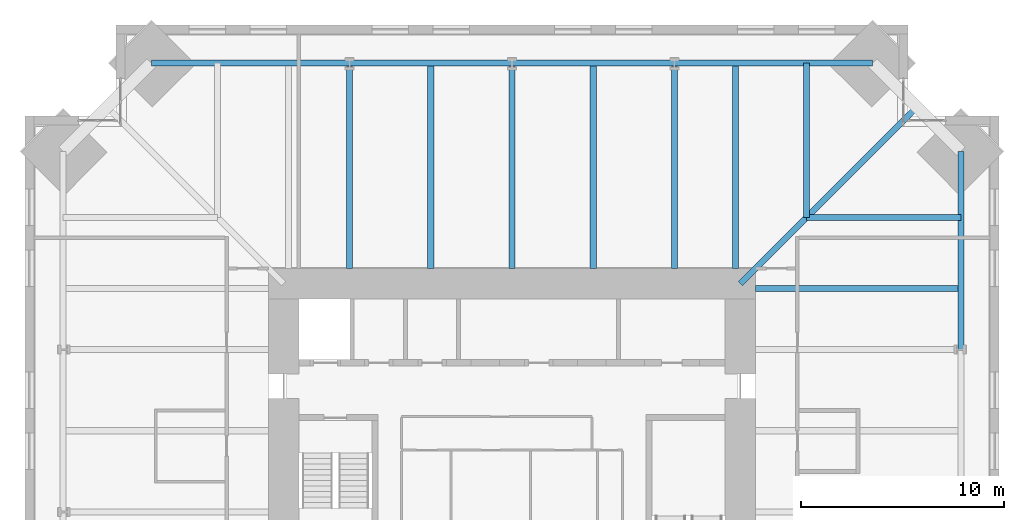
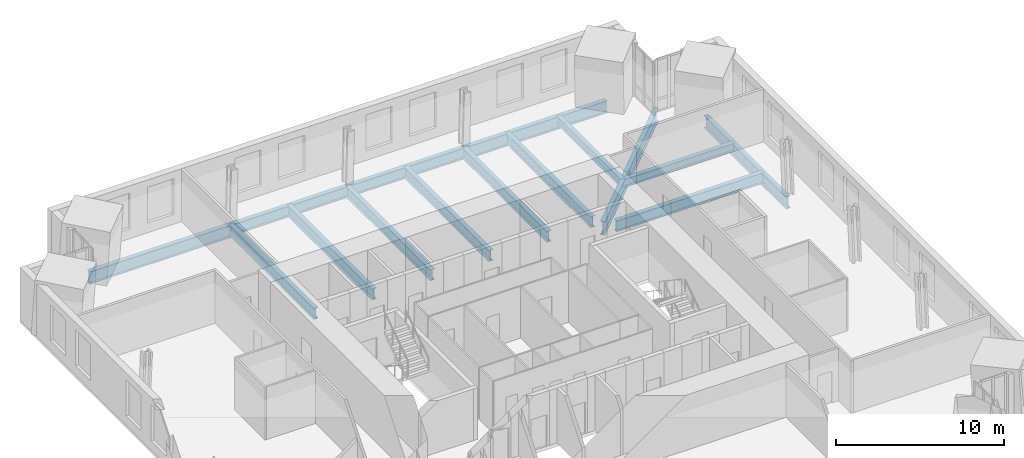
# One storey, part 7 of 15: 15 beams.
"""IFC4 building model written with IfcOpenShell, lengths in metres."""

from ifc_helpers import new_model, si_unit, direction, frame, origin, origin_2d, place, context, subcontext, project, spatial, i_section, extrude, material, material_profile, profile_set, type_object, element, save


model = new_model("IFC4")

# Units and contexts
model_context = context("Model", 3, precision=1e-05, world=origin(), true_north=direction((0.0, 1.0)))
body_context = subcontext(model_context, "Body", "Model", "MODEL_VIEW")
ifc_project = project(units=[si_unit("LENGTHUNIT", "METRE"), si_unit("AREAUNIT", "SQUARE_METRE"), si_unit("VOLUMEUNIT", "CUBIC_METRE"), si_unit("PLANEANGLEUNIT", "RADIAN"), si_unit("MASSUNIT", "GRAM", prefix="KILO")], contexts=[model_context])

# Site, building, storey
site_placement = place(None, origin())
site = spatial("IfcSite", under=ifc_project, at=site_placement, CompositionType="ELEMENT")
building_placement = place(site_placement, origin())
building = spatial("IfcBuilding", under=site, at=building_placement, Name="Peilmerk Tower", CompositionType="ELEMENT")
storey_placement = place(building_placement, frame((0.0, 0.0, 217.800048828125)))
storey = spatial("IfcBuildingStorey", under=building, at=storey_placement, Name="L47", CompositionType="ELEMENT", Elevation=217.800048828125)

# Beams
ifc_material = material(Name="Steel S355", Category="steel")
ifc_material_profile_1 = material_profile(ifc_material, i_section(OverallWidth=0.302978515625, OverallDepth=0.81396484375, WebThickness=0.02099609375, FlangeThickness=0.0400390625, at=origin_2d()), Name="HEM 800")
ifc_profile_set_1 = profile_set([ifc_material_profile_1], Name="Steel S355")
beam_type_1 = type_object("IfcBeamType", Name="B15 HEM 800 edge beam", PredefinedType="SPANDREL", material=ifc_profile_set_1)
for number, where, z_axis, x_axis, name in (
    (1, (8.0, 22.114501953125, -0.5771484375), (-1.0, 0.0, 0.0), (0.0, -1.0, 0.0), "Edge beam L47"),
    (2, (0.0, 22.114501953125, -0.5771484375), (-1.0, 0.0, 0.0), (0.0, -1.0, 0.0), "Edge beam L47"),
):
    element("IfcBeam", number, at=place(storey_placement, frame(where, z_axis=z_axis, x_axis=x_axis)), inside=storey, type_object=beam_type_1, Name=name, PredefinedType="SPANDREL", context=body_context, shape_type="SweptSolid", body=[
        extrude(i_section(OverallWidth=0.302978515625, OverallDepth=0.81396484375, WebThickness=0.02099609375, FlangeThickness=0.0400390625, at=origin_2d()), origin(), (0.0, 0.0, 1.0), 8.0),
    ])
ifc_material_profile_2 = material_profile(ifc_material, i_section(OverallWidth=0.302001953125, OverallDepth=0.909912109375, WebThickness=0.02099609375, FlangeThickness=0.0400390625, at=origin_2d()), Name="HEM 900")
ifc_profile_set_2 = profile_set([ifc_material_profile_2], Name="Steel S355")
beam_type_2 = type_object("IfcBeamType", Name="B2 HEM 900 edge beam", PredefinedType="SPANDREL", material=ifc_profile_set_2)
for number, where, z_axis, x_axis, name in (
    (3, (17.764404296875, 22.114501953125, -0.625), (-1.0, 0.0, 0.0), (0.0, -1.0, 0.0), "Edge beam L47"),
    (4, (-8.0, 22.114501953125, -0.625), (-1.0, 0.0, 0.0), (0.0, -1.0, 0.0), "Edge beam L47"),
    (5, (22.114501953125, 8.0, -0.625), (0.0, 1.0, 0.0), (-1.0, 0.0, 0.0), "Edge beam L47"),
):
    element("IfcBeam", number, at=place(storey_placement, frame(where, z_axis=z_axis, x_axis=x_axis)), inside=storey, type_object=beam_type_2, Name=name, PredefinedType="SPANDREL", context=body_context, shape_type="SweptSolid", body=[
        extrude(i_section(OverallWidth=0.302001953125, OverallDepth=0.909912109375, WebThickness=0.02099609375, FlangeThickness=0.0400390625, at=origin_2d()), origin(), (0.0, 0.0, 1.0), 9.764404296875),
    ])
ifc_material_profile_3 = material_profile(ifc_material, i_section(OverallWidth=0.300048828125, OverallDepth=0.590087890625, WebThickness=0.012939453125, FlangeThickness=0.02490234375, at=origin_2d()), Name="HEA 600")
ifc_profile_set_3 = profile_set([ifc_material_profile_3], Name="Steel S355")
beam_type_3 = type_object("IfcBeamType", Name="B27 HEA 600 floor beam", PredefinedType="BEAM", material=ifc_profile_set_3)
for number, where, z_axis, x_axis, name in (
    (6, (14.5, 14.5, -0.465087890625), (0.0, 1.0, 0.0), (-1.0, 0.0, 0.0), "Floor beam L47"),
    (7, (14.5, 14.5, -0.465087890625), (1.0, 0.0, 0.0), (0.0, 1.0, 0.0), "Floor beam L47"),
):
    element("IfcBeam", number, at=place(storey_placement, frame(where, z_axis=z_axis, x_axis=x_axis)), inside=storey, type_object=beam_type_3, Name=name, PredefinedType="BEAM", context=body_context, shape_type="SweptSolid", body=[
        extrude(i_section(OverallWidth=0.300048828125, OverallDepth=0.590087890625, WebThickness=0.012939453125, FlangeThickness=0.02490234375, at=origin_2d()), origin(), (0.0, 0.0, 1.0), 7.614501953125),
    ])
ifc_material_profile_4 = material_profile(ifc_material, i_section(OverallWidth=0.300048828125, OverallDepth=0.7900390625, WebThickness=0.014892578125, FlangeThickness=0.028076171875, at=origin_2d()), Name="HEA 800")
ifc_profile_set_4 = profile_set([ifc_material_profile_4], Name="Steel S355")
beam_type_4 = type_object("IfcBeamType", Name="B3 HEA 800 floor beam", PredefinedType="BEAM", material=ifc_profile_set_4)
for number, where, z_axis, x_axis, name in (
    (8, (11.0, 12.0, -0.56494140625), (0.0, 1.0, 0.0), (-1.0, 0.0, 0.0), "Floor beam L47"),
    (9, (8.0, 12.0, -0.56494140625), (0.0, 1.0, 0.0), (-1.0, 0.0, 0.0), "Floor beam L47"),
    (10, (4.0, 12.0, -0.56494140625), (0.0, 1.0, 0.0), (-1.0, 0.0, 0.0), "Floor beam L47"),
    (11, (0.0, 12.0, -0.56494140625), (0.0, 1.0, 0.0), (-1.0, 0.0, 0.0), "Floor beam L47"),
    (12, (-4.0, 12.0, -0.56494140625), (0.0, 1.0, 0.0), (-1.0, 0.0, 0.0), "Floor beam L47"),
    (13, (-8.0, 12.0, -0.56494140625), (0.0, 1.0, 0.0), (-1.0, 0.0, 0.0), "Floor beam L47"),
    (14, (12.0, 11.0, -0.56494140625), (1.0, 0.0, 0.0), (0.0, 1.0, 0.0), "Floor beam L47"),
):
    element("IfcBeam", number, at=place(storey_placement, frame(where, z_axis=z_axis, x_axis=x_axis)), inside=storey, type_object=beam_type_4, Name=name, PredefinedType="BEAM", context=body_context, shape_type="SweptSolid", body=[
        extrude(i_section(OverallWidth=0.300048828125, OverallDepth=0.7900390625, WebThickness=0.014892578125, FlangeThickness=0.028076171875, at=origin_2d()), origin(), (0.0, 0.0, 1.0), 10.114501953125),
    ])
ifc_material_profile_5 = material_profile(ifc_material, i_section(OverallWidth=0.300048828125, OverallDepth=1.0, WebThickness=0.01904296875, FlangeThickness=0.035888671875, at=origin_2d()), Name="HEB 1000")
ifc_profile_set_5 = profile_set([ifc_material_profile_5], Name="Steel S355")
beam_type_5 = type_object("IfcBeamType", Name="B5 HEB 1000 floor girder", PredefinedType="BEAM", material=ifc_profile_set_5)
beam_placement = place(storey_placement, frame((11.25, 11.25, -0.670166015625), z_axis=(0.707106781187, 0.707106781187, 0.0), x_axis=(-0.707106781187, 0.707106781187, 0.0)))
element("IfcBeam", 15, at=beam_placement, inside=storey, type_object=beam_type_5, Name="Corner girder L47", PredefinedType="BEAM", context=body_context, shape_type="SweptSolid", body=[
    extrude(i_section(OverallWidth=0.300048828125, OverallDepth=1.0, WebThickness=0.01904296875, FlangeThickness=0.035888671875, at=origin_2d()), origin(), (0.0, 0.0, 1.0), 12.288818359375),
])

save(model, "model.ifc")
